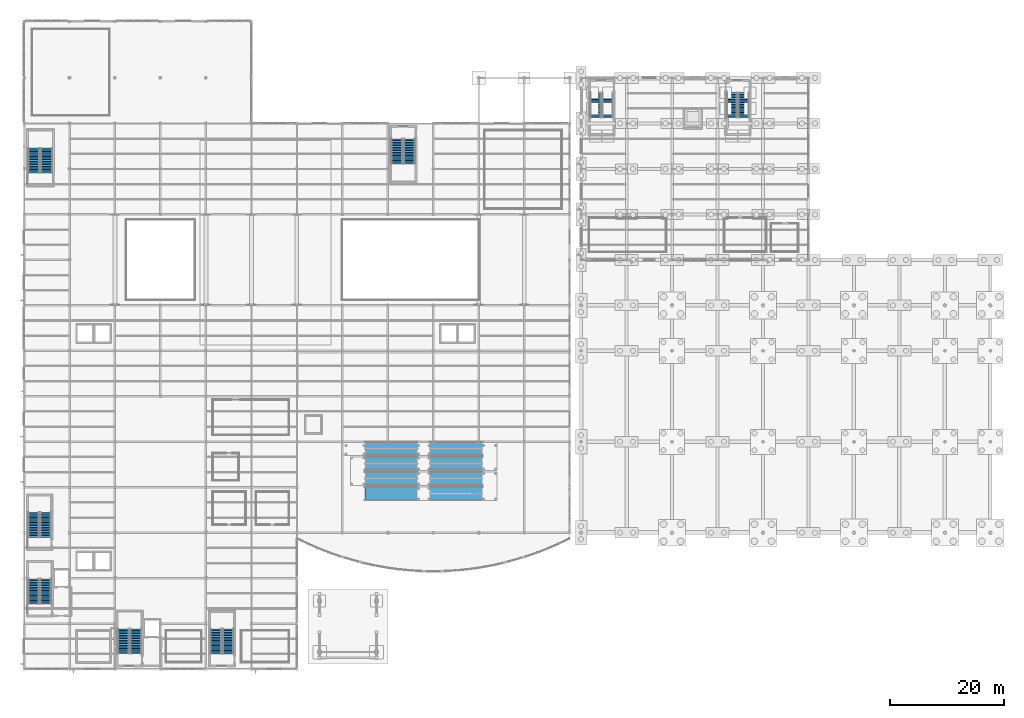
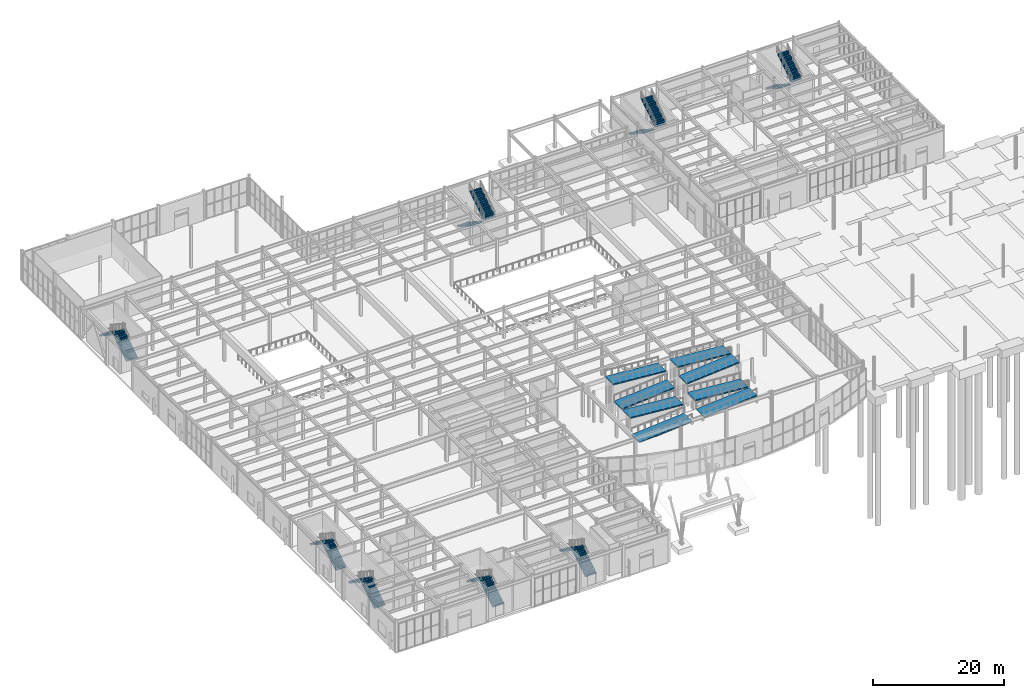
# One storey, part 65 of 82: 16 stair flights, 8 ramp flights, 9 elements without a shape of their own.
"""IFC4 building model written with IfcOpenShell, lengths in metres."""

import ifcopenshell
import ifcopenshell.guid

model = None  # the IFC model being written
_history = None  # IfcOwnerHistory: only IFC2X3 demands one
_inside = {}  # id of a spatial element -> (the spatial element, [elements in it])
_under = {}  # id of a project, library or spatial element -> (it, [spatial elements below it])
_declared = {}  # id of a project -> (the project, [libraries it declares])
_typed = {}  # id of a type object -> (the type object, [elements of that type])
_made_of = {}  # id of a material, layer set ... -> (it, [elements and type objects made of it])


def new_model(schema):
    """Start an empty IFC model of exactly this schema.

    Asked for "IFC4X3", IfcOpenShell would pick the latest addendum, in which some entities
    have other attributes; the version numbers below select the first issue.
    IFC2X3 requires an IfcOwnerHistory on every rooted entity: one is made here for all.
    """
    global model, _history
    if schema == "IFC4X3":
        model = ifcopenshell.file(schema_version=(4, 3, 0, 0))
    else:
        model = ifcopenshell.file(schema=schema)
    _inside.clear()
    _under.clear()
    _declared.clear()
    _typed.clear()
    _made_of.clear()
    _history = None
    if model.schema == "IFC2X3":
        org = make("IfcOrganization", Name="unknown")
        user = make(
            "IfcPersonAndOrganization",
            ThePerson=make("IfcPerson", FamilyName="unknown"),
            TheOrganization=org,
        )
        app = make(
            "IfcApplication",
            ApplicationDeveloper=org,
            Version="unknown",
            ApplicationFullName="unknown",
            ApplicationIdentifier="unknown",
        )
        _history = make(
            "IfcOwnerHistory",
            OwningUser=user,
            OwningApplication=app,
            ChangeAction="ADDED",
            CreationDate=0,
        )
    return model


def make(cls, **values):
    """One entity of the class cls with the attributes given. An attribute that is None is left unset."""
    return model.create_entity(
        cls, **{name: value for name, value in values.items() if value is not None}
    )


def rooted(cls, **values):
    """An entity with a GlobalId (a new one), such as an element, a storey or a relation."""
    return make(cls, GlobalId=ifcopenshell.guid.new(), OwnerHistory=_history, **values)


def si_unit(unit_type, name, prefix=None):
    """IfcSIUnit, for example si_unit("LENGTHUNIT", "METRE", prefix="MILLI")."""
    return make("IfcSIUnit", UnitType=unit_type, Prefix=prefix, Name=name)


def assignment(units):
    """IfcUnitAssignment: the units of a project."""
    return None if units is None else make("IfcUnitAssignment", Units=units)


def point(xyz):
    """IfcCartesianPoint."""
    return None if xyz is None else make("IfcCartesianPoint", Coordinates=xyz)


def direction(xyz):
    """IfcDirection."""
    return None if xyz is None else make("IfcDirection", DirectionRatios=xyz)


def frame(location, z_axis=None, x_axis=None):
    """IfcAxis2Placement3D, a coordinate frame: its origin and axes. An axis left out is left unset."""
    return make(
        "IfcAxis2Placement3D",
        Location=point(location),
        Axis=direction(z_axis),
        RefDirection=direction(x_axis),
    )


def origin():
    """The frame at (0, 0, 0) with its axes left unset."""
    return frame((0.0, 0.0, 0.0))


def place(relative_to, where):
    """IfcLocalPlacement: puts the frame where relative to a parent placement (None: the world)."""
    return make(
        "IfcLocalPlacement", PlacementRelTo=relative_to, RelativePlacement=where
    )


def context(
    kind, dimensions, precision=None, world=None, true_north=None, identifier=None
):
    """IfcGeometricRepresentationContext, for example the 3D "Model" context."""
    return make(
        "IfcGeometricRepresentationContext",
        ContextIdentifier=identifier,
        ContextType=kind,
        CoordinateSpaceDimension=dimensions,
        Precision=precision,
        WorldCoordinateSystem=world,
        TrueNorth=true_north,
    )


def subcontext(parent, identifier, kind, view, scale=None):
    """IfcGeometricRepresentationSubContext, for example "Body" below "Model"."""
    return make(
        "IfcGeometricRepresentationSubContext",
        ContextIdentifier=identifier,
        ContextType=kind,
        ParentContext=parent,
        TargetScale=scale,
        TargetView=view,
    )


def project(units=None, contexts=None):
    """IfcProject with its units and contexts."""
    return rooted(
        "IfcProject",
        Name="project",
        RepresentationContexts=contexts,
        UnitsInContext=assignment(units),
    )


def spatial(cls, under=None, at=None, **own):
    """A site, building, storey or space (cls), placed at a placement, below another one or the project."""
    s = rooted(cls, ObjectPlacement=at, **own)
    if under is not None:
        _under.setdefault(under.id(), (under, []))[1].append(s)
    return s


def polyline(points):
    """IfcPolyline through the points."""
    return make("IfcPolyline", Points=[point(p) for p in points])


def outline(outer, holes=None, kind="AREA"):
    """IfcArbitraryClosedProfileDef: a profile drawn as a closed curve; with holes, ...WithVoids."""
    if holes is None:
        return make("IfcArbitraryClosedProfileDef", ProfileType=kind, OuterCurve=outer)
    return make(
        "IfcArbitraryProfileDefWithVoids",
        ProfileType=kind,
        OuterCurve=outer,
        InnerCurves=holes,
    )


def extrude(swept, where, along, depth):
    """IfcExtrudedAreaSolid: the profile swept, set in the frame where, extruded along a direction by depth."""
    return make(
        "IfcExtrudedAreaSolid",
        SweptArea=swept,
        Position=where,
        ExtrudedDirection=direction(along),
        Depth=depth,
    )


def shape(context_of_items, identifier, shape_type, items):
    """IfcShapeRepresentation: the items that make up one representation, for example the "Body"."""
    return make(
        "IfcShapeRepresentation",
        ContextOfItems=context_of_items,
        RepresentationIdentifier=identifier,
        RepresentationType=shape_type,
        Items=items,
    )


def material(Name=None, Category=None):
    """IfcMaterial."""
    return make("IfcMaterial", Name=Name, Category=Category)


def layer(
    of_material, thickness, ventilated=None, Name=None, Category=None, Priority=None
):
    """IfcMaterialLayer: one layer of a wall or slab, of a material (None: an air gap)."""
    return make(
        "IfcMaterialLayer",
        Material=of_material,
        LayerThickness=thickness,
        IsVentilated=ventilated,
        Name=Name,
        Category=Category,
        Priority=Priority,
    )


def layer_set(layers, Name=None):
    """IfcMaterialLayerSet."""
    return make("IfcMaterialLayerSet", MaterialLayers=layers, LayerSetName=Name)


def made_of(thing, what):
    """Note that an element or type object is made of a material, layer set ...; save() writes the relation."""
    if what is not None:
        _made_of.setdefault(what.id(), (what, []))[1].append(thing)
    return thing


def type_object(cls, material=None, **own):
    """A type object (cls), such as IfcWallType, which elements share."""
    return made_of(rooted(cls, **own), material)


def element(
    cls,
    number,
    at=None,
    inside=None,
    cuts=None,
    type_object=None,
    material=None,
    context=None,
    identifier="Body",
    shape_type=None,
    held_by="IfcProductDefinitionShape",
    body=None,
    shapes=None,
    **own,
):
    """One element of the class cls, such as IfcWall. Its Tag is "e" and its number.

    at: its placement. inside: the storey or other place that contains it. cuts: it is an
    opening in that element (IfcRelVoidsElement). A single representation is given by context,
    identifier, shape_type and body (its items); several are given by shapes. held_by: the class
    of the entity that holds the representations. save() writes the other relations.
    """
    e = rooted(cls, Tag="e%d" % number, ObjectPlacement=at, **own)
    if body is not None:
        shapes = [shape(context, identifier, shape_type, body)]
    if shapes is not None:
        e.Representation = make(held_by, Representations=shapes)
    if inside is not None:
        _inside.setdefault(inside.id(), (inside, []))[1].append(e)
    if cuts is not None:
        rooted(
            "IfcRelVoidsElement", RelatingBuildingElement=cuts, RelatedOpeningElement=e
        )
    if type_object is not None:
        _typed.setdefault(type_object.id(), (type_object, []))[1].append(e)
    return made_of(e, material)


def aggregate(whole, parts):
    """IfcRelAggregates: a whole, such as a stair, and the parts it consists of."""
    return rooted("IfcRelAggregates", RelatingObject=whole, RelatedObjects=parts)


def save(model, path):
    """Write the relations noted so far, then the file.

    IfcRelAggregates (storeys below a building ...), IfcRelContainedInSpatialStructure (elements
    in a storey), IfcRelDefinesByType, IfcRelAssociatesMaterial and IfcRelDeclares: one each for
    every whole, place, type object, material and project.
    """
    for whole, parts in _under.values():
        aggregate(whole, parts)
    for where, things in _inside.values():
        rooted(
            "IfcRelContainedInSpatialStructure",
            RelatedElements=things,
            RelatingStructure=where,
        )
    for kind, things in _typed.values():
        rooted("IfcRelDefinesByType", RelatedObjects=things, RelatingType=kind)
    for what, things in _made_of.values():
        rooted("IfcRelAssociatesMaterial", RelatedObjects=things, RelatingMaterial=what)
    for by, libraries in _declared.values():
        rooted("IfcRelDeclares", RelatingContext=by, RelatedDefinitions=libraries)
    model.write(path)


model = new_model("IFC4")

# Units and contexts
model_context = context("Model", 3, precision=1e-05, world=origin(), true_north=direction((0.0, 1.0)))
body_context = subcontext(model_context, "Body", "Model", "MODEL_VIEW")
ifc_project = project(units=[si_unit("LENGTHUNIT", "METRE"), si_unit("AREAUNIT", "SQUARE_METRE"), si_unit("VOLUMEUNIT", "CUBIC_METRE"), si_unit("PLANEANGLEUNIT", "RADIAN"), si_unit("MASSUNIT", "GRAM", prefix="KILO")], contexts=[model_context])

# Site, building, storey
site_placement = place(None, origin())
site = spatial("IfcSite", under=ifc_project, at=site_placement, CompositionType="ELEMENT")
building_placement = place(site_placement, origin())
building = spatial("IfcBuilding", under=site, at=building_placement, Name="Drelvath Fold Interchange", CompositionType="ELEMENT")
storey_placement = place(building_placement, origin())
storey = spatial("IfcBuildingStorey", under=building, at=storey_placement, Name="L00", CompositionType="ELEMENT", Elevation=0.0)

# Stair, stair flights
ifc_material = material(Name="Concrete f'c 35 MPa (5000 psi)", Category="concrete")
stair_type_1 = type_object("IfcStairType", Name="STR-01", PredefinedType="HALF_TURN_STAIR", material=ifc_material)
stair_1_placement = place(storey_placement, origin())
stair_1 = element("IfcStair", 1, at=stair_1_placement, inside=storey, type_object=stair_type_1, Name="L00 Protected Exit Stair ST-01", PredefinedType="HALF_TURN_STAIR")
stair_flight_type_1 = type_object("IfcStairFlightType", Name="STF-01", PredefinedType="STRAIGHT", material=ifc_material)
stair_flight_1_placement = place(storey_placement, frame((7.844970703125, 14.5, 0.0), z_axis=(0.0, 0.0, 1.0), x_axis=(0.0, 1.0, 0.0)))
stair_flight_1 = element("IfcStairFlight", 2, at=stair_flight_1_placement, type_object=stair_flight_type_1, Name="ST-01 flight 1", NumberOfRisers=16, NumberOfTreads=15, PredefinedType="STRAIGHT", RiserHeight=0.1875, TreadLength=0.29, context=body_context, shape_type="SweptSolid", body=[
    extrude(outline(polyline([(0.0, 0.0), (0.0, 0.1875), (0.2900390625, 0.1875), (0.2900390625, 0.375), (0.580078125, 0.375), (0.580078125, 0.5625), (0.8701171875, 0.5625), (0.8701171875, 0.75), (1.159912109375, 0.75), (1.159912109375, 0.9375), (1.449951171875, 0.9375), (1.449951171875, 1.125), (1.739990234375, 1.125), (1.739990234375, 1.3125), (2.030029296875, 1.3125), (2.030029296875, 1.5), (2.320068359375, 1.5), (2.320068359375, 1.6875), (2.610107421875, 1.6875), (2.610107421875, 1.875), (2.89990234375, 1.875), (2.89990234375, 2.0625), (3.18994140625, 2.0625), (3.18994140625, 2.25), (3.47998046875, 2.25), (3.47998046875, 2.4375), (3.77001953125, 2.4375), (3.77001953125, 2.625), (4.06005859375, 2.625), (4.06005859375, 2.8125), (4.35009765625, 2.8125), (4.35009765625, 3.0), (4.35009765625, 2.634033203125), (0.276123046875, 0.0), (0.0, 0.0)])), frame((0.0, 0.96484375, 0.0), z_axis=(0.0, -1.0, 0.0), x_axis=(1.0, 0.0, 0.0)), (0.0, 0.0, 1.0), 1.929931640625),
])
stair_flight_2_placement = place(storey_placement, frame((5.715087890625, 18.85009765625, 3.0), z_axis=(0.0, 0.0, 1.0), x_axis=(0.0, -1.0, 0.0)))
stair_flight_2 = element("IfcStairFlight", 3, at=stair_flight_2_placement, type_object=stair_flight_type_1, Name="ST-01 flight 2", NumberOfRisers=16, NumberOfTreads=15, PredefinedType="STRAIGHT", RiserHeight=0.1875, TreadLength=0.29, context=body_context, shape_type="SweptSolid", body=[
    extrude(outline(polyline([(0.0, 0.0), (0.0, 0.1875), (0.2900390625, 0.1875), (0.2900390625, 0.375), (0.580078125, 0.375), (0.580078125, 0.5625), (0.8701171875, 0.5625), (0.8701171875, 0.75), (1.159912109375, 0.75), (1.159912109375, 0.9375), (1.449951171875, 0.9375), (1.449951171875, 1.125), (1.739990234375, 1.125), (1.739990234375, 1.3125), (2.030029296875, 1.3125), (2.030029296875, 1.5), (2.320068359375, 1.5), (2.320068359375, 1.6875), (2.610107421875, 1.6875), (2.610107421875, 1.875), (2.89990234375, 1.875), (2.89990234375, 2.0625), (3.18994140625, 2.0625), (3.18994140625, 2.25), (3.47998046875, 2.25), (3.47998046875, 2.4375), (3.77001953125, 2.4375), (3.77001953125, 2.625), (4.06005859375, 2.625), (4.06005859375, 2.8125), (4.35009765625, 2.8125), (4.35009765625, 3.0), (4.35009765625, 2.634033203125), (0.276123046875, 0.0), (0.0, 0.0)])), frame((0.0, 0.96484375, 0.0), z_axis=(0.0, -1.0, 0.0), x_axis=(1.0, 0.0, 0.0)), (0.0, 0.0, 1.0), 1.929931640625),
])
aggregate(stair_1, [stair_flight_1, stair_flight_2])

stair_type_2 = type_object("IfcStairType", Name="STR-02", PredefinedType="HALF_TURN_STAIR", material=ifc_material)
stair_2_placement = place(storey_placement, origin())
stair_2 = element("IfcStair", 4, at=stair_2_placement, inside=storey, type_object=stair_type_2, Name="L00 Protected Exit Stair ST-02", PredefinedType="HALF_TURN_STAIR")
stair_flight_type_2 = type_object("IfcStairFlightType", Name="STF-02", PredefinedType="STRAIGHT", material=ifc_material)
stair_flight_3_placement = place(storey_placement, frame((7.784912109375, 26.199951171875, 0.0), z_axis=(0.0, 0.0, 1.0), x_axis=(0.0, 1.0, 0.0)))
stair_flight_3 = element("IfcStairFlight", 5, at=stair_flight_3_placement, type_object=stair_flight_type_2, Name="ST-02 flight 1", NumberOfRisers=16, NumberOfTreads=15, PredefinedType="STRAIGHT", RiserHeight=0.1875, TreadLength=0.29, context=body_context, shape_type="SweptSolid", body=[
    extrude(outline(polyline([(0.0, 0.0), (0.0, 0.1875), (0.2900390625, 0.1875), (0.2900390625, 0.375), (0.580078125, 0.375), (0.580078125, 0.5625), (0.8701171875, 0.5625), (0.8701171875, 0.75), (1.159912109375, 0.75), (1.159912109375, 0.9375), (1.449951171875, 0.9375), (1.449951171875, 1.125), (1.739990234375, 1.125), (1.739990234375, 1.3125), (2.030029296875, 1.3125), (2.030029296875, 1.5), (2.320068359375, 1.5), (2.320068359375, 1.6875), (2.610107421875, 1.6875), (2.610107421875, 1.875), (2.89990234375, 1.875), (2.89990234375, 2.0625), (3.18994140625, 2.0625), (3.18994140625, 2.25), (3.47998046875, 2.25), (3.47998046875, 2.4375), (3.77001953125, 2.4375), (3.77001953125, 2.625), (4.06005859375, 2.625), (4.06005859375, 2.8125), (4.35009765625, 2.8125), (4.35009765625, 3.0), (4.35009765625, 2.634033203125), (0.276123046875, 0.0), (0.0, 0.0)])), frame((0.0, 0.94482421875, 0.0), z_axis=(0.0, -1.0, 0.0), x_axis=(1.0, 0.0, 0.0)), (0.0, 0.0, 1.0), 1.889892578125),
])
stair_flight_4_placement = place(storey_placement, frame((5.695068359375, 30.550048828125, 3.0), z_axis=(0.0, 0.0, 1.0), x_axis=(0.0, -1.0, 0.0)))
stair_flight_4 = element("IfcStairFlight", 6, at=stair_flight_4_placement, type_object=stair_flight_type_2, Name="ST-02 flight 2", NumberOfRisers=16, NumberOfTreads=15, PredefinedType="STRAIGHT", RiserHeight=0.1875, TreadLength=0.29, context=body_context, shape_type="SweptSolid", body=[
    extrude(outline(polyline([(0.0, 0.0), (0.0, 0.1875), (0.2900390625, 0.1875), (0.2900390625, 0.375), (0.580078125, 0.375), (0.580078125, 0.5625), (0.8701171875, 0.5625), (0.8701171875, 0.75), (1.159912109375, 0.75), (1.159912109375, 0.9375), (1.449951171875, 0.9375), (1.449951171875, 1.125), (1.739990234375, 1.125), (1.739990234375, 1.3125), (2.030029296875, 1.3125), (2.030029296875, 1.5), (2.320068359375, 1.5), (2.320068359375, 1.6875), (2.610107421875, 1.6875), (2.610107421875, 1.875), (2.89990234375, 1.875), (2.89990234375, 2.0625), (3.18994140625, 2.0625), (3.18994140625, 2.25), (3.47998046875, 2.25), (3.47998046875, 2.4375), (3.77001953125, 2.4375), (3.77001953125, 2.625), (4.06005859375, 2.625), (4.06005859375, 2.8125), (4.35009765625, 2.8125), (4.35009765625, 3.0), (4.35009765625, 2.634033203125), (0.276123046875, 0.0), (0.0, 0.0)])), frame((0.0, 0.94482421875, 0.0), z_axis=(0.0, -1.0, 0.0), x_axis=(1.0, 0.0, 0.0)), (0.0, 0.0, 1.0), 1.889892578125),
])
aggregate(stair_2, [stair_flight_3, stair_flight_4])

stair_type_3 = type_object("IfcStairType", Name="STR-03", PredefinedType="HALF_TURN_STAIR", material=ifc_material)
stair_3_placement = place(storey_placement, origin())
stair_3 = element("IfcStair", 7, at=stair_3_placement, inside=storey, type_object=stair_type_3, Name="L00 Protected Exit Stair ST-03", PredefinedType="HALF_TURN_STAIR")
stair_flight_type_3 = type_object("IfcStairFlightType", Name="STF-03", PredefinedType="STRAIGHT", material=ifc_material)
stair_flight_5_placement = place(storey_placement, frame((23.669921875, 5.75, 0.0), z_axis=(0.0, 0.0, 1.0), x_axis=(0.0, 1.0, 0.0)))
stair_flight_5 = element("IfcStairFlight", 8, at=stair_flight_5_placement, type_object=stair_flight_type_3, Name="ST-03 flight 1", NumberOfRisers=16, NumberOfTreads=15, PredefinedType="STRAIGHT", RiserHeight=0.1875, TreadLength=0.29, context=body_context, shape_type="SweptSolid", body=[
    extrude(outline(polyline([(0.0, 0.0), (0.0, 0.1875), (0.2900390625, 0.1875), (0.2900390625, 0.375), (0.580078125, 0.375), (0.580078125, 0.5625), (0.8701171875, 0.5625), (0.8701171875, 0.75), (1.159912109375, 0.75), (1.159912109375, 0.9375), (1.449951171875, 0.9375), (1.449951171875, 1.125), (1.739990234375, 1.125), (1.739990234375, 1.3125), (2.030029296875, 1.3125), (2.030029296875, 1.5), (2.320068359375, 1.5), (2.320068359375, 1.6875), (2.610107421875, 1.6875), (2.610107421875, 1.875), (2.89990234375, 1.875), (2.89990234375, 2.0625), (3.18994140625, 2.0625), (3.18994140625, 2.25), (3.47998046875, 2.25), (3.47998046875, 2.4375), (3.77001953125, 2.4375), (3.77001953125, 2.625), (4.06005859375, 2.625), (4.06005859375, 2.8125), (4.35009765625, 2.8125), (4.35009765625, 3.0), (4.35009765625, 2.634033203125), (0.276123046875, 0.0), (0.0, 0.0)])), frame((0.0, 0.989990234375, 0.0), z_axis=(0.0, -1.0, 0.0), x_axis=(1.0, 0.0, 0.0)), (0.0, 0.0, 1.0), 1.97998046875),
])
stair_flight_6_placement = place(storey_placement, frame((21.489990234375, 10.10009765625, 3.0), z_axis=(0.0, 0.0, 1.0), x_axis=(0.0, -1.0, 0.0)))
stair_flight_6 = element("IfcStairFlight", 9, at=stair_flight_6_placement, type_object=stair_flight_type_3, Name="ST-03 flight 2", NumberOfRisers=16, NumberOfTreads=15, PredefinedType="STRAIGHT", RiserHeight=0.1875, TreadLength=0.29, context=body_context, shape_type="SweptSolid", body=[
    extrude(outline(polyline([(0.0, 0.0), (0.0, 0.1875), (0.2900390625, 0.1875), (0.2900390625, 0.375), (0.580078125, 0.375), (0.580078125, 0.5625), (0.8701171875, 0.5625), (0.8701171875, 0.75), (1.159912109375, 0.75), (1.159912109375, 0.9375), (1.449951171875, 0.9375), (1.449951171875, 1.125), (1.739990234375, 1.125), (1.739990234375, 1.3125), (2.030029296875, 1.3125), (2.030029296875, 1.5), (2.320068359375, 1.5), (2.320068359375, 1.6875), (2.610107421875, 1.6875), (2.610107421875, 1.875), (2.89990234375, 1.875), (2.89990234375, 2.0625), (3.18994140625, 2.0625), (3.18994140625, 2.25), (3.47998046875, 2.25), (3.47998046875, 2.4375), (3.77001953125, 2.4375), (3.77001953125, 2.625), (4.06005859375, 2.625), (4.06005859375, 2.8125), (4.35009765625, 2.8125), (4.35009765625, 3.0), (4.35009765625, 2.634033203125), (0.276123046875, 0.0), (0.0, 0.0)])), frame((0.0, 0.989990234375, 0.0), z_axis=(0.0, -1.0, 0.0), x_axis=(1.0, 0.0, 0.0)), (0.0, 0.0, 1.0), 1.97998046875),
])
aggregate(stair_3, [stair_flight_5, stair_flight_6])

stair_type_4 = type_object("IfcStairType", Name="STR-04", PredefinedType="HALF_TURN_STAIR", material=ifc_material)
stair_4_placement = place(storey_placement, origin())
stair_4 = element("IfcStair", 10, at=stair_4_placement, inside=storey, type_object=stair_type_4, Name="L00 Protected Exit Stair ST-04", PredefinedType="HALF_TURN_STAIR")
stair_flight_type_4 = type_object("IfcStairFlightType", Name="STF-04", PredefinedType="STRAIGHT", material=ifc_material)
stair_flight_7_placement = place(storey_placement, frame((39.925048828125, 5.699951171875, 0.0), z_axis=(0.0, 0.0, 1.0), x_axis=(0.0, 1.0, 0.0)))
stair_flight_7 = element("IfcStairFlight", 11, at=stair_flight_7_placement, type_object=stair_flight_type_4, Name="ST-04 flight 1", NumberOfRisers=16, NumberOfTreads=15, PredefinedType="STRAIGHT", RiserHeight=0.1875, TreadLength=0.29, context=body_context, shape_type="SweptSolid", body=[
    extrude(outline(polyline([(0.0, 0.0), (0.0, 0.1875), (0.2900390625, 0.1875), (0.2900390625, 0.375), (0.580078125, 0.375), (0.580078125, 0.5625), (0.8701171875, 0.5625), (0.8701171875, 0.75), (1.159912109375, 0.75), (1.159912109375, 0.9375), (1.449951171875, 0.9375), (1.449951171875, 1.125), (1.739990234375, 1.125), (1.739990234375, 1.3125), (2.030029296875, 1.3125), (2.030029296875, 1.5), (2.320068359375, 1.5), (2.320068359375, 1.6875), (2.610107421875, 1.6875), (2.610107421875, 1.875), (2.89990234375, 1.875), (2.89990234375, 2.0625), (3.18994140625, 2.0625), (3.18994140625, 2.25), (3.47998046875, 2.25), (3.47998046875, 2.4375), (3.77001953125, 2.4375), (3.77001953125, 2.625), (4.06005859375, 2.625), (4.06005859375, 2.8125), (4.35009765625, 2.8125), (4.35009765625, 3.0), (4.35009765625, 2.634033203125), (0.276123046875, 0.0), (0.0, 0.0)])), frame((0.0, 0.97509765625, 0.0), z_axis=(0.0, -1.0, 0.0), x_axis=(1.0, 0.0, 0.0)), (0.0, 0.0, 1.0), 1.949951171875),
])
stair_flight_8_placement = place(storey_placement, frame((37.77490234375, 10.050048828125, 3.0), z_axis=(0.0, 0.0, 1.0), x_axis=(0.0, -1.0, 0.0)))
stair_flight_8 = element("IfcStairFlight", 12, at=stair_flight_8_placement, type_object=stair_flight_type_4, Name="ST-04 flight 2", NumberOfRisers=16, NumberOfTreads=15, PredefinedType="STRAIGHT", RiserHeight=0.1875, TreadLength=0.29, context=body_context, shape_type="SweptSolid", body=[
    extrude(outline(polyline([(0.0, 0.0), (0.0, 0.1875), (0.2900390625, 0.1875), (0.2900390625, 0.375), (0.580078125, 0.375), (0.580078125, 0.5625), (0.8701171875, 0.5625), (0.8701171875, 0.75), (1.159912109375, 0.75), (1.159912109375, 0.9375), (1.449951171875, 0.9375), (1.449951171875, 1.125), (1.739990234375, 1.125), (1.739990234375, 1.3125), (2.030029296875, 1.3125), (2.030029296875, 1.5), (2.320068359375, 1.5), (2.320068359375, 1.6875), (2.610107421875, 1.6875), (2.610107421875, 1.875), (2.89990234375, 1.875), (2.89990234375, 2.0625), (3.18994140625, 2.0625), (3.18994140625, 2.25), (3.47998046875, 2.25), (3.47998046875, 2.4375), (3.77001953125, 2.4375), (3.77001953125, 2.625), (4.06005859375, 2.625), (4.06005859375, 2.8125), (4.35009765625, 2.8125), (4.35009765625, 3.0), (4.35009765625, 2.634033203125), (0.276123046875, 0.0), (0.0, 0.0)])), frame((0.0, 0.97509765625, 0.0), z_axis=(0.0, -1.0, 0.0), x_axis=(1.0, 0.0, 0.0)), (0.0, 0.0, 1.0), 1.949951171875),
])
aggregate(stair_4, [stair_flight_7, stair_flight_8])

stair_type_5 = type_object("IfcStairType", Name="STR-05", PredefinedType="HALF_TURN_STAIR", material=ifc_material)
stair_5_placement = place(storey_placement, origin())
stair_5 = element("IfcStair", 13, at=stair_5_placement, inside=storey, type_object=stair_type_5, Name="L00 Protected Exit Stair ST-05", PredefinedType="HALF_TURN_STAIR")
stair_flight_type_5 = type_object("IfcStairFlightType", Name="STF-05", PredefinedType="STRAIGHT", material=ifc_material)
stair_flight_9_placement = place(storey_placement, frame((8.010009765625, 90.300048828125, 0.0), z_axis=(0.0, 0.0, 1.0), x_axis=(0.0, 1.0, 0.0)))
stair_flight_9 = element("IfcStairFlight", 14, at=stair_flight_9_placement, type_object=stair_flight_type_5, Name="ST-05 flight 1", NumberOfRisers=16, NumberOfTreads=15, PredefinedType="STRAIGHT", RiserHeight=0.1875, TreadLength=0.29, context=body_context, shape_type="SweptSolid", body=[
    extrude(outline(polyline([(0.0, 0.0), (0.0, 0.1875), (0.2900390625, 0.1875), (0.2900390625, 0.375), (0.580078125, 0.375), (0.580078125, 0.5625), (0.8701171875, 0.5625), (0.8701171875, 0.75), (1.159912109375, 0.75), (1.159912109375, 0.9375), (1.449951171875, 0.9375), (1.449951171875, 1.125), (1.739990234375, 1.125), (1.739990234375, 1.3125), (2.030029296875, 1.3125), (2.030029296875, 1.5), (2.320068359375, 1.5), (2.320068359375, 1.6875), (2.610107421875, 1.6875), (2.610107421875, 1.875), (2.89990234375, 1.875), (2.89990234375, 2.0625), (3.18994140625, 2.0625), (3.18994140625, 2.25), (3.47998046875, 2.25), (3.47998046875, 2.4375), (3.77001953125, 2.4375), (3.77001953125, 2.625), (4.06005859375, 2.625), (4.06005859375, 2.8125), (4.35009765625, 2.8125), (4.35009765625, 3.0), (4.35009765625, 2.634033203125), (0.276123046875, 0.0), (0.0, 0.0)])), frame((0.0, 1.02001953125, 0.0), z_axis=(0.0, -1.0, 0.0), x_axis=(1.0, 0.0, 0.0)), (0.0, 0.0, 1.0), 2.0400390625),
])
stair_flight_10_placement = place(storey_placement, frame((5.77001953125, 94.64990234375, 3.0), z_axis=(0.0, 0.0, 1.0), x_axis=(0.0, -1.0, 0.0)))
stair_flight_10 = element("IfcStairFlight", 15, at=stair_flight_10_placement, type_object=stair_flight_type_5, Name="ST-05 flight 2", NumberOfRisers=16, NumberOfTreads=15, PredefinedType="STRAIGHT", RiserHeight=0.1875, TreadLength=0.29, context=body_context, shape_type="SweptSolid", body=[
    extrude(outline(polyline([(0.0, 0.0), (0.0, 0.1875), (0.2900390625, 0.1875), (0.2900390625, 0.375), (0.580078125, 0.375), (0.580078125, 0.5625), (0.8701171875, 0.5625), (0.8701171875, 0.75), (1.159912109375, 0.75), (1.159912109375, 0.9375), (1.449951171875, 0.9375), (1.449951171875, 1.125), (1.739990234375, 1.125), (1.739990234375, 1.3125), (2.030029296875, 1.3125), (2.030029296875, 1.5), (2.320068359375, 1.5), (2.320068359375, 1.6875), (2.610107421875, 1.6875), (2.610107421875, 1.875), (2.89990234375, 1.875), (2.89990234375, 2.0625), (3.18994140625, 2.0625), (3.18994140625, 2.25), (3.47998046875, 2.25), (3.47998046875, 2.4375), (3.77001953125, 2.4375), (3.77001953125, 2.625), (4.06005859375, 2.625), (4.06005859375, 2.8125), (4.35009765625, 2.8125), (4.35009765625, 3.0), (4.35009765625, 2.634033203125), (0.276123046875, 0.0), (0.0, 0.0)])), frame((0.0, 1.02001953125, 0.0), z_axis=(0.0, -1.0, 0.0), x_axis=(1.0, 0.0, 0.0)), (0.0, 0.0, 1.0), 2.0400390625),
])
aggregate(stair_5, [stair_flight_9, stair_flight_10])

stair_type_6 = type_object("IfcStairType", Name="STR-06", PredefinedType="HALF_TURN_STAIR", material=ifc_material)
stair_6_placement = place(storey_placement, origin())
stair_6 = element("IfcStair", 16, at=stair_6_placement, inside=storey, type_object=stair_type_6, Name="L00 Protected Exit Stair ST-06", PredefinedType="HALF_TURN_STAIR")
stair_flight_type_6 = type_object("IfcStairFlightType", Name="STF-06", PredefinedType="STRAIGHT", material=ifc_material)
stair_flight_11_placement = place(storey_placement, frame((69.60498046875, 96.25, 0.0), z_axis=(0.0, 0.0, 1.0), x_axis=(0.0, -1.0, 0.0)))
stair_flight_11 = element("IfcStairFlight", 17, at=stair_flight_11_placement, type_object=stair_flight_type_6, Name="ST-06 flight 1", NumberOfRisers=16, NumberOfTreads=15, PredefinedType="STRAIGHT", RiserHeight=0.1875, TreadLength=0.29, context=body_context, shape_type="SweptSolid", body=[
    extrude(outline(polyline([(0.0, 0.0), (0.0, 0.1875), (0.2900390625, 0.1875), (0.2900390625, 0.375), (0.580078125, 0.375), (0.580078125, 0.5625), (0.8701171875, 0.5625), (0.8701171875, 0.75), (1.159912109375, 0.75), (1.159912109375, 0.9375), (1.449951171875, 0.9375), (1.449951171875, 1.125), (1.739990234375, 1.125), (1.739990234375, 1.3125), (2.030029296875, 1.3125), (2.030029296875, 1.5), (2.320068359375, 1.5), (2.320068359375, 1.6875), (2.610107421875, 1.6875), (2.610107421875, 1.875), (2.89990234375, 1.875), (2.89990234375, 2.0625), (3.18994140625, 2.0625), (3.18994140625, 2.25), (3.47998046875, 2.25), (3.47998046875, 2.4375), (3.77001953125, 2.4375), (3.77001953125, 2.625), (4.06005859375, 2.625), (4.06005859375, 2.8125), (4.35009765625, 2.8125), (4.35009765625, 3.0), (4.35009765625, 2.634033203125), (0.276123046875, 0.0), (0.0, 0.0)])), frame((0.0, 1.0048828125, 0.0), z_axis=(0.0, -1.0, 0.0), x_axis=(1.0, 0.0, 0.0)), (0.0, 0.0, 1.0), 2.010009765625),
])
stair_flight_12_placement = place(storey_placement, frame((71.81494140625, 91.89990234375, 3.0), z_axis=(0.0, 0.0, 1.0), x_axis=(0.0, 1.0, 0.0)))
stair_flight_12 = element("IfcStairFlight", 18, at=stair_flight_12_placement, type_object=stair_flight_type_6, Name="ST-06 flight 2", NumberOfRisers=16, NumberOfTreads=15, PredefinedType="STRAIGHT", RiserHeight=0.1875, TreadLength=0.29, context=body_context, shape_type="SweptSolid", body=[
    extrude(outline(polyline([(0.0, 0.0), (0.0, 0.1875), (0.2900390625, 0.1875), (0.2900390625, 0.375), (0.580078125, 0.375), (0.580078125, 0.5625), (0.8701171875, 0.5625), (0.8701171875, 0.75), (1.159912109375, 0.75), (1.159912109375, 0.9375), (1.449951171875, 0.9375), (1.449951171875, 1.125), (1.739990234375, 1.125), (1.739990234375, 1.3125), (2.030029296875, 1.3125), (2.030029296875, 1.5), (2.320068359375, 1.5), (2.320068359375, 1.6875), (2.610107421875, 1.6875), (2.610107421875, 1.875), (2.89990234375, 1.875), (2.89990234375, 2.0625), (3.18994140625, 2.0625), (3.18994140625, 2.25), (3.47998046875, 2.25), (3.47998046875, 2.4375), (3.77001953125, 2.4375), (3.77001953125, 2.625), (4.06005859375, 2.625), (4.06005859375, 2.8125), (4.35009765625, 2.8125), (4.35009765625, 3.0), (4.35009765625, 2.634033203125), (0.276123046875, 0.0), (0.0, 0.0)])), frame((0.0, 1.0048828125, 0.0), z_axis=(0.0, -1.0, 0.0), x_axis=(1.0, 0.0, 0.0)), (0.0, 0.0, 1.0), 2.010009765625),
])
aggregate(stair_6, [stair_flight_11, stair_flight_12])

stair_type_7 = type_object("IfcStairType", Name="STR-07", PredefinedType="HALF_TURN_STAIR", material=ifc_material)
stair_7_placement = place(storey_placement, origin())
stair_7 = element("IfcStair", 19, at=stair_7_placement, inside=storey, type_object=stair_type_7, Name="L00 Protected Exit Stair ST-07", PredefinedType="HALF_TURN_STAIR")
stair_flight_type_7 = type_object("IfcStairFlightType", Name="STF-07", PredefinedType="STRAIGHT", material=ifc_material)
stair_flight_13_placement = place(storey_placement, frame((104.554931640625, 104.39990234375, 0.0), z_axis=(0.0, 0.0, 1.0), x_axis=(0.0, -1.0, 0.0)))
stair_flight_13 = element("IfcStairFlight", 20, at=stair_flight_13_placement, type_object=stair_flight_type_7, Name="ST-07 flight 1", NumberOfRisers=16, NumberOfTreads=15, PredefinedType="STRAIGHT", RiserHeight=0.1875, TreadLength=0.29, context=body_context, shape_type="SweptSolid", body=[
    extrude(outline(polyline([(0.0, 0.0), (0.0, 0.1875), (0.2900390625, 0.1875), (0.2900390625, 0.375), (0.580078125, 0.375), (0.580078125, 0.5625), (0.8701171875, 0.5625), (0.8701171875, 0.75), (1.159912109375, 0.75), (1.159912109375, 0.9375), (1.449951171875, 0.9375), (1.449951171875, 1.125), (1.739990234375, 1.125), (1.739990234375, 1.3125), (2.030029296875, 1.3125), (2.030029296875, 1.5), (2.320068359375, 1.5), (2.320068359375, 1.6875), (2.610107421875, 1.6875), (2.610107421875, 1.875), (2.89990234375, 1.875), (2.89990234375, 2.0625), (3.18994140625, 2.0625), (3.18994140625, 2.25), (3.47998046875, 2.25), (3.47998046875, 2.4375), (3.77001953125, 2.4375), (3.77001953125, 2.625), (4.06005859375, 2.625), (4.06005859375, 2.8125), (4.35009765625, 2.8125), (4.35009765625, 3.0), (4.35009765625, 2.634033203125), (0.276123046875, 0.0), (0.0, 0.0)])), frame((0.0, 0.955078125, 0.0), z_axis=(0.0, -1.0, 0.0), x_axis=(1.0, 0.0, 0.0)), (0.0, 0.0, 1.0), 1.909912109375),
])
stair_flight_14_placement = place(storey_placement, frame((106.6650390625, 100.050048828125, 3.0), z_axis=(0.0, 0.0, 1.0), x_axis=(0.0, 1.0, 0.0)))
stair_flight_14 = element("IfcStairFlight", 21, at=stair_flight_14_placement, type_object=stair_flight_type_7, Name="ST-07 flight 2", NumberOfRisers=16, NumberOfTreads=15, PredefinedType="STRAIGHT", RiserHeight=0.1875, TreadLength=0.29, context=body_context, shape_type="SweptSolid", body=[
    extrude(outline(polyline([(0.0, 0.0), (0.0, 0.1875), (0.2900390625, 0.1875), (0.2900390625, 0.375), (0.580078125, 0.375), (0.580078125, 0.5625), (0.8701171875, 0.5625), (0.8701171875, 0.75), (1.159912109375, 0.75), (1.159912109375, 0.9375), (1.449951171875, 0.9375), (1.449951171875, 1.125), (1.739990234375, 1.125), (1.739990234375, 1.3125), (2.030029296875, 1.3125), (2.030029296875, 1.5), (2.320068359375, 1.5), (2.320068359375, 1.6875), (2.610107421875, 1.6875), (2.610107421875, 1.875), (2.89990234375, 1.875), (2.89990234375, 2.0625), (3.18994140625, 2.0625), (3.18994140625, 2.25), (3.47998046875, 2.25), (3.47998046875, 2.4375), (3.77001953125, 2.4375), (3.77001953125, 2.625), (4.06005859375, 2.625), (4.06005859375, 2.8125), (4.35009765625, 2.8125), (4.35009765625, 3.0), (4.35009765625, 2.634033203125), (0.276123046875, 0.0), (0.0, 0.0)])), frame((0.0, 0.955078125, 0.0), z_axis=(0.0, -1.0, 0.0), x_axis=(1.0, 0.0, 0.0)), (0.0, 0.0, 1.0), 1.909912109375),
])
aggregate(stair_7, [stair_flight_13, stair_flight_14])

stair_type_8 = type_object("IfcStairType", Name="STR-08", PredefinedType="HALF_TURN_STAIR", material=ifc_material)
stair_8_placement = place(storey_placement, origin())
stair_8 = element("IfcStair", 22, at=stair_8_placement, inside=storey, type_object=stair_type_8, Name="L00 Protected Exit Stair ST-08", PredefinedType="HALF_TURN_STAIR")
stair_flight_type_8 = type_object("IfcStairFlightType", Name="STF-08", PredefinedType="STRAIGHT", material=ifc_material)
stair_flight_15_placement = place(storey_placement, frame((128.534912109375, 104.39990234375, 0.0), z_axis=(0.0, 0.0, 1.0), x_axis=(0.0, -1.0, 0.0)))
stair_flight_15 = element("IfcStairFlight", 23, at=stair_flight_15_placement, type_object=stair_flight_type_8, Name="ST-08 flight 1", NumberOfRisers=16, NumberOfTreads=15, PredefinedType="STRAIGHT", RiserHeight=0.1875, TreadLength=0.29, context=body_context, shape_type="SweptSolid", body=[
    extrude(outline(polyline([(0.0, 0.0), (0.0, 0.1875), (0.2900390625, 0.1875), (0.2900390625, 0.375), (0.580078125, 0.375), (0.580078125, 0.5625), (0.8701171875, 0.5625), (0.8701171875, 0.75), (1.159912109375, 0.75), (1.159912109375, 0.9375), (1.449951171875, 0.9375), (1.449951171875, 1.125), (1.739990234375, 1.125), (1.739990234375, 1.3125), (2.030029296875, 1.3125), (2.030029296875, 1.5), (2.320068359375, 1.5), (2.320068359375, 1.6875), (2.610107421875, 1.6875), (2.610107421875, 1.875), (2.89990234375, 1.875), (2.89990234375, 2.0625), (3.18994140625, 2.0625), (3.18994140625, 2.25), (3.47998046875, 2.25), (3.47998046875, 2.4375), (3.77001953125, 2.4375), (3.77001953125, 2.625), (4.06005859375, 2.625), (4.06005859375, 2.8125), (4.35009765625, 2.8125), (4.35009765625, 3.0), (4.35009765625, 2.634033203125), (0.276123046875, 0.0), (0.0, 0.0)])), frame((0.0, 0.93505859375, 0.0), z_axis=(0.0, -1.0, 0.0), x_axis=(1.0, 0.0, 0.0)), (0.0, 0.0, 1.0), 1.8701171875),
])
stair_flight_16_placement = place(storey_placement, frame((130.60498046875, 100.050048828125, 3.0), z_axis=(0.0, 0.0, 1.0), x_axis=(0.0, 1.0, 0.0)))
stair_flight_16 = element("IfcStairFlight", 24, at=stair_flight_16_placement, type_object=stair_flight_type_8, Name="ST-08 flight 2", NumberOfRisers=16, NumberOfTreads=15, PredefinedType="STRAIGHT", RiserHeight=0.1875, TreadLength=0.29, context=body_context, shape_type="SweptSolid", body=[
    extrude(outline(polyline([(0.0, 0.0), (0.0, 0.1875), (0.2900390625, 0.1875), (0.2900390625, 0.375), (0.580078125, 0.375), (0.580078125, 0.5625), (0.8701171875, 0.5625), (0.8701171875, 0.75), (1.159912109375, 0.75), (1.159912109375, 0.9375), (1.449951171875, 0.9375), (1.449951171875, 1.125), (1.739990234375, 1.125), (1.739990234375, 1.3125), (2.030029296875, 1.3125), (2.030029296875, 1.5), (2.320068359375, 1.5), (2.320068359375, 1.6875), (2.610107421875, 1.6875), (2.610107421875, 1.875), (2.89990234375, 1.875), (2.89990234375, 2.0625), (3.18994140625, 2.0625), (3.18994140625, 2.25), (3.47998046875, 2.25), (3.47998046875, 2.4375), (3.77001953125, 2.4375), (3.77001953125, 2.625), (4.06005859375, 2.625), (4.06005859375, 2.8125), (4.35009765625, 2.8125), (4.35009765625, 3.0), (4.35009765625, 2.634033203125), (0.276123046875, 0.0), (0.0, 0.0)])), frame((0.0, 0.93505859375, 0.0), z_axis=(0.0, -1.0, 0.0), x_axis=(1.0, 0.0, 0.0)), (0.0, 0.0, 1.0), 1.8701171875),
])
aggregate(stair_8, [stair_flight_15, stair_flight_16])

# Ramp, ramp flights
ramp_type = type_object("IfcRampType", Name="RMP-WH320", PredefinedType="HALF_TURN_RAMP", material=ifc_material)
ramp_placement = place(storey_placement, origin())
ramp = element("IfcRamp", 25, at=ramp_placement, inside=storey, type_object=ramp_type, Name="Waiting Hall Curved Crimson Promenade Ramp R-WH1", PredefinedType="HALF_TURN_RAMP")
ifc_layer = layer(ifc_material, 0.22509765625, Name="Concrete f'c 35 MPa (5000 psi)")
ifc_layer_set = layer_set([ifc_layer], Name="Concrete f'c 35 MPa (5000 psi)")
ramp_flight_type = type_object("IfcRampFlightType", Name="RMF-WH240", PredefinedType="STRAIGHT", material=ifc_layer_set)
ramp_flight_1_placement = place(storey_placement, frame((64.0, 32.64990234375, 0.0), z_axis=(-0.080815868766, 0.0, 0.996729048115), x_axis=(0.996729048115, 0.0, 0.080815868766)))
ramp_flight_1 = element("IfcRampFlight", 26, at=ramp_flight_1_placement, type_object=ramp_flight_type, Name="Crimson promenade ramp flight 1", PredefinedType="STRAIGHT", context=body_context, shape_type="SweptSolid", body=[
    extrude(outline(polyline([(0.0, 0.0), (9.280355596635292, 0.0), (9.280355596635292, 2.400146484375), (0.0, 2.400146484375), (0.0, 0.0)])), origin(), (0.0, 0.0, -1.0), 0.22509765625),
])
ramp_flight_2_placement = place(storey_placement, frame((75.35009765625, 32.64990234375, 0.75), z_axis=(-0.080385867223, 0.0, 0.996763819744), x_axis=(0.996763819744, 0.0, 0.080385867223)))
ramp_flight_2 = element("IfcRampFlight", 27, at=ramp_flight_2_placement, type_object=ramp_flight_type, Name="Crimson promenade ramp flight 2", PredefinedType="STRAIGHT", context=body_context, shape_type="SweptSolid", body=[
    extrude(outline(polyline([(0.0, 0.0), (9.329998243603638, 0.0), (9.329998243603638, 2.400146484375), (0.0, 2.400146484375), (0.0, 0.0)])), origin(), (0.0, 0.0, -1.0), 0.22509765625),
])
ramp_flight_3_placement = place(storey_placement, frame((75.35009765625, 35.300048828125, 2.25), z_axis=(0.080385867223, 0.0, 0.996763819744), x_axis=(0.996763819744, 0.0, -0.080385867223)))
ramp_flight_3 = element("IfcRampFlight", 28, at=ramp_flight_3_placement, type_object=ramp_flight_type, Name="Crimson promenade ramp flight 3", PredefinedType="STRAIGHT", context=body_context, shape_type="SweptSolid", body=[
    extrude(outline(polyline([(0.0, 0.0), (9.329998243603638, 0.0), (9.329998243603638, 2.39990234375), (0.0, 2.39990234375), (0.0, 0.0)])), origin(), (0.0, 0.0, -1.0), 0.22509765625),
])
ramp_flight_4_placement = place(storey_placement, frame((63.949951171875, 35.300048828125, 3.0), z_axis=(0.080383770606, 0.0, 0.996763988827), x_axis=(0.996763988827, 0.0, -0.080383770606)))
ramp_flight_4 = element("IfcRampFlight", 29, at=ramp_flight_4_placement, type_object=ramp_flight_type, Name="Crimson promenade ramp flight 4", PredefinedType="STRAIGHT", context=body_context, shape_type="SweptSolid", body=[
    extrude(outline(polyline([(0.0, 0.0), (9.330241594166209, 0.0), (9.330241594166209, 2.39990234375), (0.0, 2.39990234375), (0.0, 0.0)])), origin(), (0.0, 0.0, -1.0), 0.22509765625),
])
ramp_flight_5_placement = place(storey_placement, frame((63.949951171875, 37.949951171875, 3.0), z_axis=(-0.080383770606, 0.0, 0.996763988827), x_axis=(0.996763988827, 0.0, 0.080383770606)))
ramp_flight_5 = element("IfcRampFlight", 30, at=ramp_flight_5_placement, type_object=ramp_flight_type, Name="Crimson promenade ramp flight 5", PredefinedType="STRAIGHT", context=body_context, shape_type="SweptSolid", body=[
    extrude(outline(polyline([(0.0, 0.0), (9.330241594166209, 0.0), (9.330241594166209, 2.4001464843749996), (0.0, 2.4001464843749996), (0.0, 0.0)])), origin(), (0.0, 0.0, -1.0), 0.22509765625),
])
ramp_flight_6_placement = place(storey_placement, frame((75.35009765625, 37.949951171875, 3.75), z_axis=(-0.080385867223, 0.0, 0.996763819744), x_axis=(0.996763819744, 0.0, 0.080385867223)))
ramp_flight_6 = element("IfcRampFlight", 31, at=ramp_flight_6_placement, type_object=ramp_flight_type, Name="Crimson promenade ramp flight 6", PredefinedType="STRAIGHT", context=body_context, shape_type="SweptSolid", body=[
    extrude(outline(polyline([(0.0, 0.0), (9.329998243603638, 0.0), (9.329998243603638, 2.400146484375), (0.0, 2.400146484375), (0.0, 0.0)])), origin(), (0.0, 0.0, -1.0), 0.22509765625),
])
ramp_flight_7_placement = place(storey_placement, frame((75.35009765625, 40.60009765625, 5.25), z_axis=(0.080385867223, 0.0, 0.996763819744), x_axis=(0.996763819744, 0.0, -0.080385867223)))
ramp_flight_7 = element("IfcRampFlight", 32, at=ramp_flight_7_placement, type_object=ramp_flight_type, Name="Crimson promenade ramp flight 7", PredefinedType="STRAIGHT", context=body_context, shape_type="SweptSolid", body=[
    extrude(outline(polyline([(0.0, 0.0), (9.329998243603638, 0.0), (9.329998243603638, 2.39990234375), (0.0, 2.39990234375), (0.0, 0.0)])), origin(), (0.0, 0.0, -1.0), 0.22509765625),
])
ramp_flight_8_placement = place(storey_placement, frame((63.949951171875, 40.60009765625, 6.0), z_axis=(0.080383770606, 0.0, 0.996763988827), x_axis=(0.996763988827, 0.0, -0.080383770606)))
ramp_flight_8 = element("IfcRampFlight", 33, at=ramp_flight_8_placement, type_object=ramp_flight_type, Name="Crimson promenade ramp flight 8", PredefinedType="STRAIGHT", context=body_context, shape_type="SweptSolid", body=[
    extrude(outline(polyline([(0.0, 0.0), (9.330241594166209, 0.0), (9.330241594166209, 2.39990234375), (0.0, 2.39990234375), (0.0, 0.0)])), origin(), (0.0, 0.0, -1.0), 0.22509765625),
])
aggregate(ramp, [ramp_flight_1, ramp_flight_2, ramp_flight_3, ramp_flight_4, ramp_flight_5, ramp_flight_6, ramp_flight_7, ramp_flight_8])

save(model, "model.ifc")
